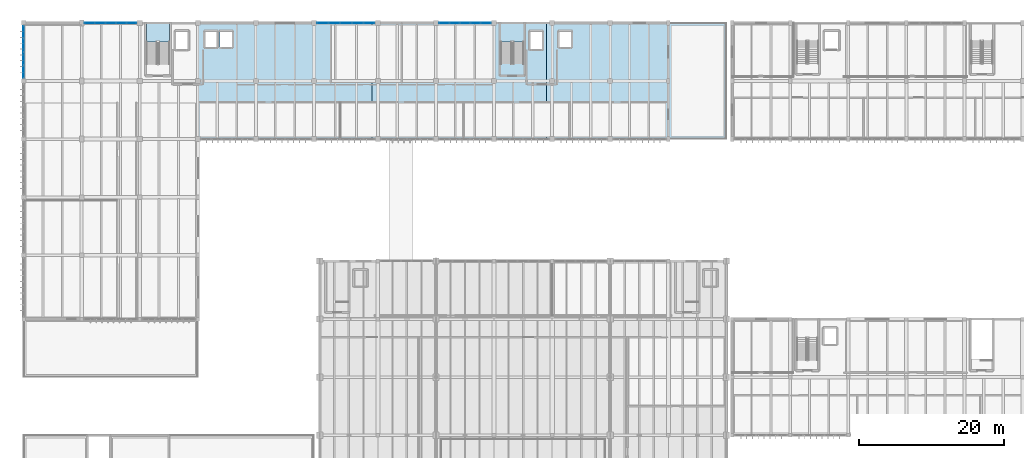
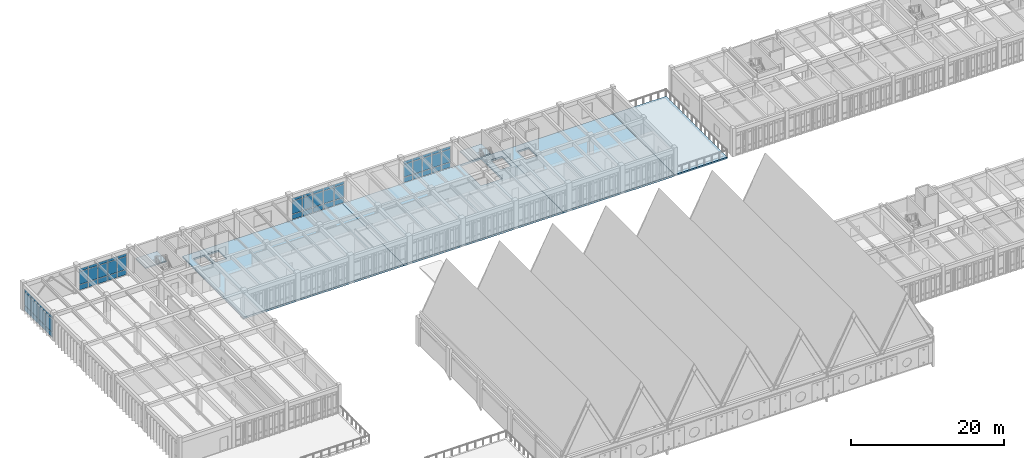
# One storey, part 39 of 72: 57 plates, 6 slabs, 6 elements without a shape of their own.
"""IFC4 building model written with IfcOpenShell, lengths in metres."""

from ifc_helpers import new_model, si_unit, direction, frame, origin, origin_2d, place, context, subcontext, project, spatial, polyline, rectangle, outline, extrude, material, layer, layer_set, type_object, element, aggregate, save


model = new_model("IFC4")

# Units and contexts
model_context = context("Model", 3, precision=1e-05, world=origin(), true_north=direction((0.0, 1.0)))
body_context = subcontext(model_context, "Body", "Model", "MODEL_VIEW")
ifc_project = project(units=[si_unit("LENGTHUNIT", "METRE"), si_unit("AREAUNIT", "SQUARE_METRE"), si_unit("VOLUMEUNIT", "CUBIC_METRE"), si_unit("PLANEANGLEUNIT", "RADIAN"), si_unit("MASSUNIT", "GRAM", prefix="KILO")], contexts=[model_context])

# Site, building, storey
site_placement = place(None, origin())
site = spatial("IfcSite", under=ifc_project, at=site_placement, CompositionType="ELEMENT")
building_placement = place(site_placement, origin())
building = spatial("IfcBuilding", under=site, at=building_placement, Name="Tlaxcora Railside Police Headquarters", CompositionType="ELEMENT")
storey_placement = place(building_placement, frame((0.0, 0.0, 13.5)))
storey = spatial("IfcBuildingStorey", under=building, at=storey_placement, Name="L03", CompositionType="ELEMENT", Elevation=13.5)

# Curtain wall, plates
ifc_material_1 = material(Name="Thermally broken low-E insulated glazing", Category="glass")
curtain_wall_type_1 = type_object("IfcCurtainWallType", Name="Unitised Curtain Wall Assembly CW-23", PredefinedType="NOTDEFINED", material=ifc_material_1)
curtain_wall_1_placement = place(storey_placement, origin())
curtain_wall_1 = element("IfcCurtainWall", 1, at=curtain_wall_1_placement, inside=storey, type_object=curtain_wall_type_1, Name="V5 L03 curtain wall 80", PredefinedType="NOTDEFINED")
ifc_layer_1 = layer(ifc_material_1, 0.0400390625, Name="Thermally broken low-E insulated glazing")
ifc_layer_set_1 = layer_set([ifc_layer_1], Name="Thermally broken low-E insulated glazing")
plate_type_1 = type_object("IfcPlateType", Name="Curtain Wall Infill Panel CW-17", PredefinedType="CURTAIN_PANEL", material=ifc_layer_set_1)
plate_1_placement = place(storey_placement, frame((68.860107421875, 92.800048828125, 0.080078125), z_axis=(0.0, 0.0, 1.0), x_axis=(-1.0, 0.0, 0.0)))
plate_1 = element("IfcPlate", 2, at=plate_1_placement, type_object=plate_type_1, Name="CW panel 1.1", PredefinedType="CURTAIN_PANEL", context=body_context, shape_type="SweptSolid", body=[
    extrude(rectangle(XDim=1.320068359375, YDim=0.0400390625, at=origin_2d()), origin(), (0.0, 0.0, 1.0), 0.780029296875),
])
plate_2_placement = place(storey_placement, frame((68.860107421875, 92.800048828125, 0.93994140625), z_axis=(0.0, 0.0, 1.0), x_axis=(-1.0, 0.0, 0.0)))
plate_2 = element("IfcPlate", 3, at=plate_2_placement, type_object=plate_type_1, Name="CW panel 1.2", PredefinedType="CURTAIN_PANEL", context=body_context, shape_type="SweptSolid", body=[
    extrude(rectangle(XDim=1.320068359375, YDim=0.0400390625, at=origin_2d()), origin(), (0.0, 0.0, 1.0), 2.010009765625),
])
plate_3_placement = place(storey_placement, frame((68.860107421875, 92.800048828125, 3.0302734375), z_axis=(0.0, 0.0, 1.0), x_axis=(-1.0, 0.0, 0.0)))
plate_3 = element("IfcPlate", 4, at=plate_3_placement, type_object=plate_type_1, Name="CW panel 1.3", PredefinedType="CURTAIN_PANEL", context=body_context, shape_type="SweptSolid", body=[
    extrude(rectangle(XDim=1.320068359375, YDim=0.0400390625, at=origin_2d()), origin(), (0.0, 0.0, 1.0), 0.409912109375),
])
plate_4_placement = place(storey_placement, frame((67.43994140625, 92.800048828125, 0.080078125), z_axis=(0.0, 0.0, 1.0), x_axis=(-1.0, 0.0, 0.0)))
plate_4 = element("IfcPlate", 5, at=plate_4_placement, type_object=plate_type_1, Name="CW panel 2.1", PredefinedType="CURTAIN_PANEL", context=body_context, shape_type="SweptSolid", body=[
    extrude(rectangle(XDim=1.360107421875, YDim=0.0400390625, at=origin_2d()), origin(), (0.0, 0.0, 1.0), 0.780029296875),
])
plate_5_placement = place(storey_placement, frame((67.43994140625, 92.800048828125, 0.93994140625), z_axis=(0.0, 0.0, 1.0), x_axis=(-1.0, 0.0, 0.0)))
plate_5 = element("IfcPlate", 6, at=plate_5_placement, type_object=plate_type_1, Name="CW panel 2.2", PredefinedType="CURTAIN_PANEL", context=body_context, shape_type="SweptSolid", body=[
    extrude(rectangle(XDim=1.360107421875, YDim=0.0400390625, at=origin_2d()), origin(), (0.0, 0.0, 1.0), 2.010009765625),
])
plate_6_placement = place(storey_placement, frame((67.43994140625, 92.800048828125, 3.0302734375), z_axis=(0.0, 0.0, 1.0), x_axis=(-1.0, 0.0, 0.0)))
plate_6 = element("IfcPlate", 7, at=plate_6_placement, type_object=plate_type_1, Name="CW panel 2.3", PredefinedType="CURTAIN_PANEL", context=body_context, shape_type="SweptSolid", body=[
    extrude(rectangle(XDim=1.360107421875, YDim=0.0400390625, at=origin_2d()), origin(), (0.0, 0.0, 1.0), 0.409912109375),
])
plate_7_placement = place(storey_placement, frame((66.0, 92.800048828125, 0.080078125), z_axis=(0.0, 0.0, 1.0), x_axis=(-1.0, 0.0, 0.0)))
plate_7 = element("IfcPlate", 8, at=plate_7_placement, type_object=plate_type_1, Name="CW panel 3.1", PredefinedType="CURTAIN_PANEL", context=body_context, shape_type="SweptSolid", body=[
    extrude(rectangle(XDim=1.360107421875, YDim=0.0400390625, at=origin_2d()), origin(), (0.0, 0.0, 1.0), 0.780029296875),
])
plate_8_placement = place(storey_placement, frame((66.0, 92.800048828125, 0.93994140625), z_axis=(0.0, 0.0, 1.0), x_axis=(-1.0, 0.0, 0.0)))
plate_8 = element("IfcPlate", 9, at=plate_8_placement, type_object=plate_type_1, Name="CW panel 3.2", PredefinedType="CURTAIN_PANEL", context=body_context, shape_type="SweptSolid", body=[
    extrude(rectangle(XDim=1.360107421875, YDim=0.0400390625, at=origin_2d()), origin(), (0.0, 0.0, 1.0), 2.010009765625),
])
plate_9_placement = place(storey_placement, frame((66.0, 92.800048828125, 3.0302734375), z_axis=(0.0, 0.0, 1.0), x_axis=(-1.0, 0.0, 0.0)))
plate_9 = element("IfcPlate", 10, at=plate_9_placement, type_object=plate_type_1, Name="CW panel 3.3", PredefinedType="CURTAIN_PANEL", context=body_context, shape_type="SweptSolid", body=[
    extrude(rectangle(XDim=1.360107421875, YDim=0.0400390625, at=origin_2d()), origin(), (0.0, 0.0, 1.0), 0.409912109375),
])
plate_10_placement = place(storey_placement, frame((64.56005859375, 92.800048828125, 0.080078125), z_axis=(0.0, 0.0, 1.0), x_axis=(-1.0, 0.0, 0.0)))
plate_10 = element("IfcPlate", 11, at=plate_10_placement, type_object=plate_type_1, Name="CW panel 4.1", PredefinedType="CURTAIN_PANEL", context=body_context, shape_type="SweptSolid", body=[
    extrude(rectangle(XDim=1.360107421875, YDim=0.0400390625, at=origin_2d()), origin(), (0.0, 0.0, 1.0), 0.780029296875),
])
plate_11_placement = place(storey_placement, frame((64.56005859375, 92.800048828125, 0.93994140625), z_axis=(0.0, 0.0, 1.0), x_axis=(-1.0, 0.0, 0.0)))
plate_11 = element("IfcPlate", 12, at=plate_11_placement, type_object=plate_type_1, Name="CW panel 4.2", PredefinedType="CURTAIN_PANEL", context=body_context, shape_type="SweptSolid", body=[
    extrude(rectangle(XDim=1.360107421875, YDim=0.0400390625, at=origin_2d()), origin(), (0.0, 0.0, 1.0), 2.010009765625),
])
plate_12_placement = place(storey_placement, frame((64.56005859375, 92.800048828125, 3.0302734375), z_axis=(0.0, 0.0, 1.0), x_axis=(-1.0, 0.0, 0.0)))
plate_12 = element("IfcPlate", 13, at=plate_12_placement, type_object=plate_type_1, Name="CW panel 4.3", PredefinedType="CURTAIN_PANEL", context=body_context, shape_type="SweptSolid", body=[
    extrude(rectangle(XDim=1.360107421875, YDim=0.0400390625, at=origin_2d()), origin(), (0.0, 0.0, 1.0), 0.409912109375),
])
plate_13_placement = place(storey_placement, frame((63.139892578125, 92.800048828125, 0.080078125), z_axis=(0.0, 0.0, 1.0), x_axis=(-1.0, 0.0, 0.0)))
plate_13 = element("IfcPlate", 14, at=plate_13_placement, type_object=plate_type_1, Name="CW panel 5.1", PredefinedType="CURTAIN_PANEL", context=body_context, shape_type="SweptSolid", body=[
    extrude(rectangle(XDim=1.320068359375, YDim=0.0400390625, at=origin_2d()), origin(), (0.0, 0.0, 1.0), 0.780029296875),
])
plate_14_placement = place(storey_placement, frame((63.139892578125, 92.800048828125, 0.93994140625), z_axis=(0.0, 0.0, 1.0), x_axis=(-1.0, 0.0, 0.0)))
plate_14 = element("IfcPlate", 15, at=plate_14_placement, type_object=plate_type_1, Name="CW panel 5.2", PredefinedType="CURTAIN_PANEL", context=body_context, shape_type="SweptSolid", body=[
    extrude(rectangle(XDim=1.320068359375, YDim=0.0400390625, at=origin_2d()), origin(), (0.0, 0.0, 1.0), 2.010009765625),
])
plate_15_placement = place(storey_placement, frame((63.139892578125, 92.800048828125, 3.0302734375), z_axis=(0.0, 0.0, 1.0), x_axis=(-1.0, 0.0, 0.0)))
plate_15 = element("IfcPlate", 16, at=plate_15_placement, type_object=plate_type_1, Name="CW panel 5.3", PredefinedType="CURTAIN_PANEL", context=body_context, shape_type="SweptSolid", body=[
    extrude(rectangle(XDim=1.320068359375, YDim=0.0400390625, at=origin_2d()), origin(), (0.0, 0.0, 1.0), 0.409912109375),
])
aggregate(curtain_wall_1, [plate_1, plate_2, plate_3, plate_4, plate_5, plate_6, plate_7, plate_8, plate_9, plate_10, plate_11, plate_12, plate_13, plate_14, plate_15])

curtain_wall_type_2 = type_object("IfcCurtainWallType", Name="Unitised Curtain Wall Assembly CW-15", PredefinedType="NOTDEFINED", material=ifc_material_1)
curtain_wall_2_placement = place(storey_placement, origin())
curtain_wall_2 = element("IfcCurtainWall", 17, at=curtain_wall_2_placement, inside=storey, type_object=curtain_wall_type_2, Name="V5 L03 curtain wall 82", PredefinedType="NOTDEFINED")
ifc_layer_2 = layer(ifc_material_1, 0.031982421875, Name="Thermally broken low-E insulated glazing")
ifc_layer_set_2 = layer_set([ifc_layer_2], Name="Thermally broken low-E insulated glazing")
plate_type_2 = type_object("IfcPlateType", Name="Curtain Wall Infill Panel CW-41", PredefinedType="CURTAIN_PANEL", material=ifc_layer_set_2)
plate_16_placement = place(storey_placement, frame((20.05615234375, 92.800048828125, 0.074951171875), z_axis=(0.0, 0.0, 1.0), x_axis=(-1.0, 0.0, 0.0)))
plate_16 = element("IfcPlate", 18, at=plate_16_placement, type_object=plate_type_2, Name="CW panel 1.1", PredefinedType="CURTAIN_PANEL", context=body_context, shape_type="SweptSolid", body=[
    extrude(rectangle(XDim=1.33740234375, YDim=0.031982421875, at=origin_2d()), origin(), (0.0, 0.0, 1.0), 0.78759765625),
])
plate_17_placement = place(storey_placement, frame((20.05615234375, 92.800048828125, 0.9375), z_axis=(0.0, 0.0, 1.0), x_axis=(-1.0, 0.0, 0.0)))
plate_17 = element("IfcPlate", 19, at=plate_17_placement, type_object=plate_type_2, Name="CW panel 1.2", PredefinedType="CURTAIN_PANEL", context=body_context, shape_type="SweptSolid", body=[
    extrude(rectangle(XDim=1.33740234375, YDim=0.031982421875, at=origin_2d()), origin(), (0.0, 0.0, 1.0), 2.014892578125),
])
plate_18_placement = place(storey_placement, frame((20.05615234375, 92.800048828125, 3.027587890625), z_axis=(0.0, 0.0, 1.0), x_axis=(-1.0, 0.0, 0.0)))
plate_18 = element("IfcPlate", 20, at=plate_18_placement, type_object=plate_type_2, Name="CW panel 1.3", PredefinedType="CURTAIN_PANEL", context=body_context, shape_type="SweptSolid", body=[
    extrude(rectangle(XDim=1.33740234375, YDim=0.031982421875, at=origin_2d()), origin(), (0.0, 0.0, 1.0), 0.41748046875),
])
plate_19_placement = place(storey_placement, frame((18.625, 92.800048828125, 0.074951171875), z_axis=(0.0, 0.0, 1.0), x_axis=(-1.0, 0.0, 0.0)))
plate_19 = element("IfcPlate", 21, at=plate_19_placement, type_object=plate_type_2, Name="CW panel 2.1", PredefinedType="CURTAIN_PANEL", context=body_context, shape_type="SweptSolid", body=[
    extrude(rectangle(XDim=1.375, YDim=0.031982421875, at=origin_2d()), origin(), (0.0, 0.0, 1.0), 0.78759765625),
])
plate_20_placement = place(storey_placement, frame((18.625, 92.800048828125, 0.9375), z_axis=(0.0, 0.0, 1.0), x_axis=(-1.0, 0.0, 0.0)))
plate_20 = element("IfcPlate", 22, at=plate_20_placement, type_object=plate_type_2, Name="CW panel 2.2", PredefinedType="CURTAIN_PANEL", context=body_context, shape_type="SweptSolid", body=[
    extrude(rectangle(XDim=1.375, YDim=0.031982421875, at=origin_2d()), origin(), (0.0, 0.0, 1.0), 2.014892578125),
])
plate_21_placement = place(storey_placement, frame((18.625, 92.800048828125, 3.027587890625), z_axis=(0.0, 0.0, 1.0), x_axis=(-1.0, 0.0, 0.0)))
plate_21 = element("IfcPlate", 23, at=plate_21_placement, type_object=plate_type_2, Name="CW panel 2.3", PredefinedType="CURTAIN_PANEL", context=body_context, shape_type="SweptSolid", body=[
    extrude(rectangle(XDim=1.375, YDim=0.031982421875, at=origin_2d()), origin(), (0.0, 0.0, 1.0), 0.41748046875),
])
plate_22_placement = place(storey_placement, frame((17.175048828125, 92.800048828125, 0.074951171875), z_axis=(0.0, 0.0, 1.0), x_axis=(-1.0, 0.0, 0.0)))
plate_22 = element("IfcPlate", 24, at=plate_22_placement, type_object=plate_type_2, Name="CW panel 3.1", PredefinedType="CURTAIN_PANEL", context=body_context, shape_type="SweptSolid", body=[
    extrude(rectangle(XDim=1.375, YDim=0.031982421875, at=origin_2d()), origin(), (0.0, 0.0, 1.0), 0.78759765625),
])
plate_23_placement = place(storey_placement, frame((17.175048828125, 92.800048828125, 0.9375), z_axis=(0.0, 0.0, 1.0), x_axis=(-1.0, 0.0, 0.0)))
plate_23 = element("IfcPlate", 25, at=plate_23_placement, type_object=plate_type_2, Name="CW panel 3.2", PredefinedType="CURTAIN_PANEL", context=body_context, shape_type="SweptSolid", body=[
    extrude(rectangle(XDim=1.375, YDim=0.031982421875, at=origin_2d()), origin(), (0.0, 0.0, 1.0), 2.014892578125),
])
plate_24_placement = place(storey_placement, frame((17.175048828125, 92.800048828125, 3.027587890625), z_axis=(0.0, 0.0, 1.0), x_axis=(-1.0, 0.0, 0.0)))
plate_24 = element("IfcPlate", 26, at=plate_24_placement, type_object=plate_type_2, Name="CW panel 3.3", PredefinedType="CURTAIN_PANEL", context=body_context, shape_type="SweptSolid", body=[
    extrude(rectangle(XDim=1.375, YDim=0.031982421875, at=origin_2d()), origin(), (0.0, 0.0, 1.0), 0.41748046875),
])
plate_25_placement = place(storey_placement, frame((15.72509765625, 92.800048828125, 0.074951171875), z_axis=(0.0, 0.0, 1.0), x_axis=(-1.0, 0.0, 0.0)))
plate_25 = element("IfcPlate", 27, at=plate_25_placement, type_object=plate_type_2, Name="CW panel 4.1", PredefinedType="CURTAIN_PANEL", context=body_context, shape_type="SweptSolid", body=[
    extrude(rectangle(XDim=1.375, YDim=0.031982421875, at=origin_2d()), origin(), (0.0, 0.0, 1.0), 0.78759765625),
])
plate_26_placement = place(storey_placement, frame((15.72509765625, 92.800048828125, 0.9375), z_axis=(0.0, 0.0, 1.0), x_axis=(-1.0, 0.0, 0.0)))
plate_26 = element("IfcPlate", 28, at=plate_26_placement, type_object=plate_type_2, Name="CW panel 4.2", PredefinedType="CURTAIN_PANEL", context=body_context, shape_type="SweptSolid", body=[
    extrude(rectangle(XDim=1.375, YDim=0.031982421875, at=origin_2d()), origin(), (0.0, 0.0, 1.0), 2.014892578125),
])
plate_27_placement = place(storey_placement, frame((15.72509765625, 92.800048828125, 3.027587890625), z_axis=(0.0, 0.0, 1.0), x_axis=(-1.0, 0.0, 0.0)))
plate_27 = element("IfcPlate", 29, at=plate_27_placement, type_object=plate_type_2, Name="CW panel 4.3", PredefinedType="CURTAIN_PANEL", context=body_context, shape_type="SweptSolid", body=[
    extrude(rectangle(XDim=1.375, YDim=0.031982421875, at=origin_2d()), origin(), (0.0, 0.0, 1.0), 0.41748046875),
])
plate_28_placement = place(storey_placement, frame((14.293701171875, 92.800048828125, 0.074951171875), z_axis=(0.0, 0.0, 1.0), x_axis=(-1.0, 0.0, 0.0)))
plate_28 = element("IfcPlate", 30, at=plate_28_placement, type_object=plate_type_2, Name="CW panel 5.1", PredefinedType="CURTAIN_PANEL", context=body_context, shape_type="SweptSolid", body=[
    extrude(rectangle(XDim=1.33740234375, YDim=0.031982421875, at=origin_2d()), origin(), (0.0, 0.0, 1.0), 0.78759765625),
])
plate_29_placement = place(storey_placement, frame((14.293701171875, 92.800048828125, 0.9375), z_axis=(0.0, 0.0, 1.0), x_axis=(-1.0, 0.0, 0.0)))
plate_29 = element("IfcPlate", 31, at=plate_29_placement, type_object=plate_type_2, Name="CW panel 5.2", PredefinedType="CURTAIN_PANEL", context=body_context, shape_type="SweptSolid", body=[
    extrude(rectangle(XDim=1.33740234375, YDim=0.031982421875, at=origin_2d()), origin(), (0.0, 0.0, 1.0), 2.014892578125),
])
plate_30_placement = place(storey_placement, frame((14.293701171875, 92.800048828125, 3.027587890625), z_axis=(0.0, 0.0, 1.0), x_axis=(-1.0, 0.0, 0.0)))
plate_30 = element("IfcPlate", 32, at=plate_30_placement, type_object=plate_type_2, Name="CW panel 5.3", PredefinedType="CURTAIN_PANEL", context=body_context, shape_type="SweptSolid", body=[
    extrude(rectangle(XDim=1.33740234375, YDim=0.031982421875, at=origin_2d()), origin(), (0.0, 0.0, 1.0), 0.41748046875),
])
aggregate(curtain_wall_2, [plate_16, plate_17, plate_18, plate_19, plate_20, plate_21, plate_22, plate_23, plate_24, plate_25, plate_26, plate_27, plate_28, plate_29, plate_30])

curtain_wall_type_3 = type_object("IfcCurtainWallType", Name="Unitised Curtain Wall Assembly CW-83", PredefinedType="NOTDEFINED", material=ifc_material_1)
curtain_wall_3_placement = place(storey_placement, origin())
curtain_wall_3 = element("IfcCurtainWall", 33, at=curtain_wall_3_placement, inside=storey, type_object=curtain_wall_type_3, Name="V5 L03 curtain wall 83", PredefinedType="NOTDEFINED")
ifc_layer_3 = layer(ifc_material_1, 0.035888671875, Name="Thermally broken low-E insulated glazing")
ifc_layer_set_3 = layer_set([ifc_layer_3], Name="Thermally broken low-E insulated glazing")
plate_type_3 = type_object("IfcPlateType", Name="Curtain Wall Infill Panel CW-72", PredefinedType="CURTAIN_PANEL", material=ifc_layer_set_3)
plate_31_placement = place(storey_placement, frame((5.199951171875, 91.517578125, 0.080078125), z_axis=(0.0, 0.0, 1.0), x_axis=(0.0, -1.0, 0.0)))
plate_31 = element("IfcPlate", 34, at=plate_31_placement, type_object=plate_type_3, Name="CW panel 1.1", PredefinedType="CURTAIN_PANEL", context=body_context, shape_type="SweptSolid", body=[
    extrude(rectangle(XDim=1.705078125, YDim=0.035888671875, at=origin_2d()), origin(), (0.0, 0.0, 1.0), 0.780029296875),
])
plate_32_placement = place(storey_placement, frame((5.199951171875, 91.517578125, 0.93994140625), z_axis=(0.0, 0.0, 1.0), x_axis=(0.0, -1.0, 0.0)))
plate_32 = element("IfcPlate", 35, at=plate_32_placement, type_object=plate_type_3, Name="CW panel 1.2", PredefinedType="CURTAIN_PANEL", context=body_context, shape_type="SweptSolid", body=[
    extrude(rectangle(XDim=1.705078125, YDim=0.035888671875, at=origin_2d()), origin(), (0.0, 0.0, 1.0), 2.010009765625),
])
plate_33_placement = place(storey_placement, frame((5.199951171875, 91.517578125, 3.0302734375), z_axis=(0.0, 0.0, 1.0), x_axis=(0.0, -1.0, 0.0)))
plate_33 = element("IfcPlate", 36, at=plate_33_placement, type_object=plate_type_3, Name="CW panel 1.3", PredefinedType="CURTAIN_PANEL", context=body_context, shape_type="SweptSolid", body=[
    extrude(rectangle(XDim=1.705078125, YDim=0.035888671875, at=origin_2d()), origin(), (0.0, 0.0, 1.0), 0.409912109375),
])
plate_34_placement = place(storey_placement, frame((5.199951171875, 89.71240234375, 0.080078125), z_axis=(0.0, 0.0, 1.0), x_axis=(0.0, -1.0, 0.0)))
plate_34 = element("IfcPlate", 37, at=plate_34_placement, type_object=plate_type_3, Name="CW panel 2.1", PredefinedType="CURTAIN_PANEL", context=body_context, shape_type="SweptSolid", body=[
    extrude(rectangle(XDim=1.7451171875, YDim=0.035888671875, at=origin_2d()), origin(), (0.0, 0.0, 1.0), 0.780029296875),
])
plate_35_placement = place(storey_placement, frame((5.199951171875, 89.71240234375, 0.93994140625), z_axis=(0.0, 0.0, 1.0), x_axis=(0.0, -1.0, 0.0)))
plate_35 = element("IfcPlate", 38, at=plate_35_placement, type_object=plate_type_3, Name="CW panel 2.2", PredefinedType="CURTAIN_PANEL", context=body_context, shape_type="SweptSolid", body=[
    extrude(rectangle(XDim=1.7451171875, YDim=0.035888671875, at=origin_2d()), origin(), (0.0, 0.0, 1.0), 2.010009765625),
])
plate_36_placement = place(storey_placement, frame((5.199951171875, 89.71240234375, 3.0302734375), z_axis=(0.0, 0.0, 1.0), x_axis=(0.0, -1.0, 0.0)))
plate_36 = element("IfcPlate", 39, at=plate_36_placement, type_object=plate_type_3, Name="CW panel 2.3", PredefinedType="CURTAIN_PANEL", context=body_context, shape_type="SweptSolid", body=[
    extrude(rectangle(XDim=1.7451171875, YDim=0.035888671875, at=origin_2d()), origin(), (0.0, 0.0, 1.0), 0.409912109375),
])
plate_37_placement = place(storey_placement, frame((5.199951171875, 87.887451171875, 0.080078125), z_axis=(0.0, 0.0, 1.0), x_axis=(0.0, -1.0, 0.0)))
plate_37 = element("IfcPlate", 40, at=plate_37_placement, type_object=plate_type_3, Name="CW panel 3.1", PredefinedType="CURTAIN_PANEL", context=body_context, shape_type="SweptSolid", body=[
    extrude(rectangle(XDim=1.7451171875, YDim=0.035888671875, at=origin_2d()), origin(), (0.0, 0.0, 1.0), 0.780029296875),
])
plate_38_placement = place(storey_placement, frame((5.199951171875, 87.887451171875, 0.93994140625), z_axis=(0.0, 0.0, 1.0), x_axis=(0.0, -1.0, 0.0)))
plate_38 = element("IfcPlate", 41, at=plate_38_placement, type_object=plate_type_3, Name="CW panel 3.2", PredefinedType="CURTAIN_PANEL", context=body_context, shape_type="SweptSolid", body=[
    extrude(rectangle(XDim=1.7451171875, YDim=0.035888671875, at=origin_2d()), origin(), (0.0, 0.0, 1.0), 2.010009765625),
])
plate_39_placement = place(storey_placement, frame((5.199951171875, 87.887451171875, 3.0302734375), z_axis=(0.0, 0.0, 1.0), x_axis=(0.0, -1.0, 0.0)))
plate_39 = element("IfcPlate", 42, at=plate_39_placement, type_object=plate_type_3, Name="CW panel 3.3", PredefinedType="CURTAIN_PANEL", context=body_context, shape_type="SweptSolid", body=[
    extrude(rectangle(XDim=1.7451171875, YDim=0.035888671875, at=origin_2d()), origin(), (0.0, 0.0, 1.0), 0.409912109375),
])
plate_40_placement = place(storey_placement, frame((5.199951171875, 86.08251953125, 0.080078125), z_axis=(0.0, 0.0, 1.0), x_axis=(0.0, -1.0, 0.0)))
plate_40 = element("IfcPlate", 43, at=plate_40_placement, type_object=plate_type_3, Name="CW panel 4.1", PredefinedType="CURTAIN_PANEL", context=body_context, shape_type="SweptSolid", body=[
    extrude(rectangle(XDim=1.705078125, YDim=0.035888671875, at=origin_2d()), origin(), (0.0, 0.0, 1.0), 0.780029296875),
])
plate_41_placement = place(storey_placement, frame((5.199951171875, 86.08251953125, 0.93994140625), z_axis=(0.0, 0.0, 1.0), x_axis=(0.0, -1.0, 0.0)))
plate_41 = element("IfcPlate", 44, at=plate_41_placement, type_object=plate_type_3, Name="CW panel 4.2", PredefinedType="CURTAIN_PANEL", context=body_context, shape_type="SweptSolid", body=[
    extrude(rectangle(XDim=1.705078125, YDim=0.035888671875, at=origin_2d()), origin(), (0.0, 0.0, 1.0), 2.010009765625),
])
plate_42_placement = place(storey_placement, frame((5.199951171875, 86.08251953125, 3.0302734375), z_axis=(0.0, 0.0, 1.0), x_axis=(0.0, -1.0, 0.0)))
plate_42 = element("IfcPlate", 45, at=plate_42_placement, type_object=plate_type_3, Name="CW panel 4.3", PredefinedType="CURTAIN_PANEL", context=body_context, shape_type="SweptSolid", body=[
    extrude(rectangle(XDim=1.705078125, YDim=0.035888671875, at=origin_2d()), origin(), (0.0, 0.0, 1.0), 0.409912109375),
])
aggregate(curtain_wall_3, [plate_31, plate_32, plate_33, plate_34, plate_35, plate_36, plate_37, plate_38, plate_39, plate_40, plate_41, plate_42])

curtain_wall_type_4 = type_object("IfcCurtainWallType", Name="Unitised Curtain Wall Assembly CW-38", PredefinedType="NOTDEFINED", material=ifc_material_1)
curtain_wall_4_placement = place(storey_placement, origin())
curtain_wall_4 = element("IfcCurtainWall", 46, at=curtain_wall_4_placement, inside=storey, type_object=curtain_wall_type_4, Name="V5 L03 curtain wall 81", PredefinedType="NOTDEFINED")
ifc_layer_4 = layer(ifc_material_1, 0.028076171875, Name="Thermally broken low-E insulated glazing")
ifc_layer_set_4 = layer_set([ifc_layer_4], Name="Thermally broken low-E insulated glazing")
plate_type_4 = type_object("IfcPlateType", Name="Curtain Wall Infill Panel CW-92", PredefinedType="CURTAIN_PANEL", material=ifc_layer_set_4)
plate_43_placement = place(storey_placement, frame((52.78125, 92.800048828125, 0.074951171875), z_axis=(0.0, 0.0, 1.0), x_axis=(-1.0, 0.0, 0.0)))
plate_43 = element("IfcPlate", 47, at=plate_43_placement, type_object=plate_type_4, Name="CW panel 1.1", PredefinedType="CURTAIN_PANEL", context=body_context, shape_type="SweptSolid", body=[
    extrude(rectangle(XDim=1.487548828125, YDim=0.028076171875, at=origin_2d()), origin(), (0.0, 0.0, 1.0), 0.78759765625),
])
plate_44_placement = place(storey_placement, frame((52.78125, 92.800048828125, 0.9375), z_axis=(0.0, 0.0, 1.0), x_axis=(-1.0, 0.0, 0.0)))
plate_44 = element("IfcPlate", 48, at=plate_44_placement, type_object=plate_type_4, Name="CW panel 1.2", PredefinedType="CURTAIN_PANEL", context=body_context, shape_type="SweptSolid", body=[
    extrude(rectangle(XDim=1.487548828125, YDim=0.028076171875, at=origin_2d()), origin(), (0.0, 0.0, 1.0), 2.014892578125),
])
plate_45_placement = place(storey_placement, frame((52.78125, 92.800048828125, 3.027587890625), z_axis=(0.0, 0.0, 1.0), x_axis=(-1.0, 0.0, 0.0)))
plate_45 = element("IfcPlate", 49, at=plate_45_placement, type_object=plate_type_4, Name="CW panel 1.3", PredefinedType="CURTAIN_PANEL", context=body_context, shape_type="SweptSolid", body=[
    extrude(rectangle(XDim=1.487548828125, YDim=0.028076171875, at=origin_2d()), origin(), (0.0, 0.0, 1.0), 0.41748046875),
])
plate_46_placement = place(storey_placement, frame((51.199951171875, 92.800048828125, 0.074951171875), z_axis=(0.0, 0.0, 1.0), x_axis=(-1.0, 0.0, 0.0)))
plate_46 = element("IfcPlate", 50, at=plate_46_placement, type_object=plate_type_4, Name="CW panel 2.1", PredefinedType="CURTAIN_PANEL", context=body_context, shape_type="SweptSolid", body=[
    extrude(rectangle(XDim=1.52490234375, YDim=0.028076171875, at=origin_2d()), origin(), (0.0, 0.0, 1.0), 0.78759765625),
])
plate_47_placement = place(storey_placement, frame((51.199951171875, 92.800048828125, 0.9375), z_axis=(0.0, 0.0, 1.0), x_axis=(-1.0, 0.0, 0.0)))
plate_47 = element("IfcPlate", 51, at=plate_47_placement, type_object=plate_type_4, Name="CW panel 2.2", PredefinedType="CURTAIN_PANEL", context=body_context, shape_type="SweptSolid", body=[
    extrude(rectangle(XDim=1.52490234375, YDim=0.028076171875, at=origin_2d()), origin(), (0.0, 0.0, 1.0), 2.014892578125),
])
plate_48_placement = place(storey_placement, frame((51.199951171875, 92.800048828125, 3.027587890625), z_axis=(0.0, 0.0, 1.0), x_axis=(-1.0, 0.0, 0.0)))
plate_48 = element("IfcPlate", 52, at=plate_48_placement, type_object=plate_type_4, Name="CW panel 2.3", PredefinedType="CURTAIN_PANEL", context=body_context, shape_type="SweptSolid", body=[
    extrude(rectangle(XDim=1.52490234375, YDim=0.028076171875, at=origin_2d()), origin(), (0.0, 0.0, 1.0), 0.41748046875),
])
plate_49_placement = place(storey_placement, frame((49.60009765625, 92.800048828125, 0.074951171875), z_axis=(0.0, 0.0, 1.0), x_axis=(-1.0, 0.0, 0.0)))
plate_49 = element("IfcPlate", 53, at=plate_49_placement, type_object=plate_type_4, Name="CW panel 3.1", PredefinedType="CURTAIN_PANEL", context=body_context, shape_type="SweptSolid", body=[
    extrude(rectangle(XDim=1.52490234375, YDim=0.028076171875, at=origin_2d()), origin(), (0.0, 0.0, 1.0), 0.78759765625),
])
plate_50_placement = place(storey_placement, frame((49.60009765625, 92.800048828125, 0.9375), z_axis=(0.0, 0.0, 1.0), x_axis=(-1.0, 0.0, 0.0)))
plate_50 = element("IfcPlate", 54, at=plate_50_placement, type_object=plate_type_4, Name="CW panel 3.2", PredefinedType="CURTAIN_PANEL", context=body_context, shape_type="SweptSolid", body=[
    extrude(rectangle(XDim=1.52490234375, YDim=0.028076171875, at=origin_2d()), origin(), (0.0, 0.0, 1.0), 2.014892578125),
])
plate_51_placement = place(storey_placement, frame((49.60009765625, 92.800048828125, 3.027587890625), z_axis=(0.0, 0.0, 1.0), x_axis=(-1.0, 0.0, 0.0)))
plate_51 = element("IfcPlate", 55, at=plate_51_placement, type_object=plate_type_4, Name="CW panel 3.3", PredefinedType="CURTAIN_PANEL", context=body_context, shape_type="SweptSolid", body=[
    extrude(rectangle(XDim=1.52490234375, YDim=0.028076171875, at=origin_2d()), origin(), (0.0, 0.0, 1.0), 0.41748046875),
])
plate_52_placement = place(storey_placement, frame((48.0, 92.800048828125, 0.074951171875), z_axis=(0.0, 0.0, 1.0), x_axis=(-1.0, 0.0, 0.0)))
plate_52 = element("IfcPlate", 56, at=plate_52_placement, type_object=plate_type_4, Name="CW panel 4.1", PredefinedType="CURTAIN_PANEL", context=body_context, shape_type="SweptSolid", body=[
    extrude(rectangle(XDim=1.52490234375, YDim=0.028076171875, at=origin_2d()), origin(), (0.0, 0.0, 1.0), 0.78759765625),
])
plate_53_placement = place(storey_placement, frame((48.0, 92.800048828125, 0.9375), z_axis=(0.0, 0.0, 1.0), x_axis=(-1.0, 0.0, 0.0)))
plate_53 = element("IfcPlate", 57, at=plate_53_placement, type_object=plate_type_4, Name="CW panel 4.2", PredefinedType="CURTAIN_PANEL", context=body_context, shape_type="SweptSolid", body=[
    extrude(rectangle(XDim=1.52490234375, YDim=0.028076171875, at=origin_2d()), origin(), (0.0, 0.0, 1.0), 2.014892578125),
])
plate_54_placement = place(storey_placement, frame((48.0, 92.800048828125, 3.027587890625), z_axis=(0.0, 0.0, 1.0), x_axis=(-1.0, 0.0, 0.0)))
plate_54 = element("IfcPlate", 58, at=plate_54_placement, type_object=plate_type_4, Name="CW panel 4.3", PredefinedType="CURTAIN_PANEL", context=body_context, shape_type="SweptSolid", body=[
    extrude(rectangle(XDim=1.52490234375, YDim=0.028076171875, at=origin_2d()), origin(), (0.0, 0.0, 1.0), 0.41748046875),
])
plate_55_placement = place(storey_placement, frame((46.418701171875, 92.800048828125, 0.074951171875), z_axis=(0.0, 0.0, 1.0), x_axis=(-1.0, 0.0, 0.0)))
plate_55 = element("IfcPlate", 59, at=plate_55_placement, type_object=plate_type_4, Name="CW panel 5.1", PredefinedType="CURTAIN_PANEL", context=body_context, shape_type="SweptSolid", body=[
    extrude(rectangle(XDim=1.487548828125, YDim=0.028076171875, at=origin_2d()), origin(), (0.0, 0.0, 1.0), 0.78759765625),
])
plate_56_placement = place(storey_placement, frame((46.418701171875, 92.800048828125, 0.9375), z_axis=(0.0, 0.0, 1.0), x_axis=(-1.0, 0.0, 0.0)))
plate_56 = element("IfcPlate", 60, at=plate_56_placement, type_object=plate_type_4, Name="CW panel 5.2", PredefinedType="CURTAIN_PANEL", context=body_context, shape_type="SweptSolid", body=[
    extrude(rectangle(XDim=1.487548828125, YDim=0.028076171875, at=origin_2d()), origin(), (0.0, 0.0, 1.0), 2.014892578125),
])
plate_57_placement = place(storey_placement, frame((46.418701171875, 92.800048828125, 3.027587890625), z_axis=(0.0, 0.0, 1.0), x_axis=(-1.0, 0.0, 0.0)))
plate_57 = element("IfcPlate", 61, at=plate_57_placement, type_object=plate_type_4, Name="CW panel 5.3", PredefinedType="CURTAIN_PANEL", context=body_context, shape_type="SweptSolid", body=[
    extrude(rectangle(XDim=1.487548828125, YDim=0.028076171875, at=origin_2d()), origin(), (0.0, 0.0, 1.0), 0.41748046875),
])
aggregate(curtain_wall_4, [plate_43, plate_44, plate_45, plate_46, plate_47, plate_48, plate_49, plate_50, plate_51, plate_52, plate_53, plate_54, plate_55, plate_56, plate_57])

# Stair, slab
ifc_material_2 = material(Name="Concrete C40/50", Category="concrete")
stair_type = type_object("IfcStairType", Name="Half-Turn Dog-Leg Stair ST-28", PredefinedType="HALF_TURN_STAIR", material=ifc_material_2)
stair_1_placement = place(storey_placement, origin())
stair_1 = element("IfcStair", 62, at=stair_1_placement, inside=storey, type_object=stair_type, Name="L03 ST1", PredefinedType="HALF_TURN_STAIR")
ifc_material_3 = material(Name="Concrete C35/45", Category="concrete")
ifc_layer_5 = layer(ifc_material_3, 0.199951171875, Name="Concrete C35/45")
ifc_layer_set_5 = layer_set([ifc_layer_5], Name="Concrete C35/45")
slab_type_1 = type_object("IfcSlabType", Name="Stair Landing Slab SL-23", PredefinedType="LANDING", material=ifc_layer_set_5)
slab_1_placement = place(storey_placement, frame((0.0, 0.0, 2.050048828125)))
slab_1 = element("IfcSlab", 63, at=slab_1_placement, type_object=slab_type_1, Name="ST1 landing 1", PredefinedType="LANDING", context=body_context, shape_type="SweptSolid", body=[
    extrude(outline(polyline([(25.31005859375, 90.18994140625), (25.31005859375, 92.68994140625), (22.110107421875, 92.68994140625), (22.110107421875, 90.18994140625), (25.31005859375, 90.18994140625)])), origin(), (0.0, 0.0, 1.0), 0.199951171875),
])
aggregate(stair_1, [slab_1])

stair_2_placement = place(storey_placement, origin())
stair_2 = element("IfcStair", 64, at=stair_2_placement, inside=storey, type_object=stair_type, Name="L03 ST2", PredefinedType="HALF_TURN_STAIR")
slab_2_placement = place(storey_placement, frame((0.0, 0.0, 2.050048828125)))
slab_2 = element("IfcSlab", 65, at=slab_2_placement, type_object=slab_type_1, Name="ST2 landing 1", PredefinedType="LANDING", context=body_context, shape_type="SweptSolid", body=[
    extrude(outline(polyline([(74.110107421875, 90.18994140625), (74.110107421875, 92.68994140625), (70.909912109375, 92.68994140625), (70.909912109375, 90.18994140625), (74.110107421875, 90.18994140625)])), origin(), (0.0, 0.0, 1.0), 0.199951171875),
])
aggregate(stair_2, [slab_2])

# Slabs
ifc_layer_6 = layer(ifc_material_3, 0.280029296875, Name="Concrete C35/45")
ifc_layer_set_6 = layer_set([ifc_layer_6], Name="Concrete C35/45")
slab_type_2 = type_object("IfcSlabType", Name="Suspended Floor Slab SL-16", PredefinedType="FLOOR", material=ifc_layer_set_6)
slab_3_placement = place(storey_placement, frame((0.0, 0.0, -0.280029296875)))
element("IfcSlab", 66, at=slab_3_placement, inside=storey, type_object=slab_type_2, Name="V5 L03 floor slab zone 2", PredefinedType="FLOOR", context=body_context, shape_type="SweptSolid", body=[
    extrude(outline(polyline([(53.199951171875, 92.800048828125), (29.199951171875, 92.800048828125), (29.199951171875, 76.800048828125), (53.199951171875, 76.800048828125), (53.199951171875, 92.800048828125)]), holes=[polyline([(31.85009765625, 89.449951171875), (30.14990234375, 89.449951171875), (30.14990234375, 91.64990234375), (31.85009765625, 91.64990234375), (31.85009765625, 89.449951171875)]), polyline([(32.25, 89.449951171875), (32.25, 91.64990234375), (33.949951171875, 91.64990234375), (33.949951171875, 89.449951171875), (32.25, 89.449951171875)])]), origin(), (0.0, 0.0, 1.0), 0.280029296875),
])
slab_4_placement = place(storey_placement, frame((0.0, 0.0, -0.280029296875)))
element("IfcSlab", 67, at=slab_4_placement, inside=storey, type_object=slab_type_2, Name="V5 L03 floor slab zone 3", PredefinedType="FLOOR", context=body_context, shape_type="SweptSolid", body=[
    extrude(outline(polyline([(77.199951171875, 92.800048828125), (53.199951171875, 92.800048828125), (53.199951171875, 76.800048828125), (77.199951171875, 76.800048828125), (77.199951171875, 92.800048828125)]), holes=[polyline([(70.909912109375, 92.68994140625), (74.110107421875, 92.68994140625), (74.110107421875, 87.25), (70.909912109375, 87.25), (70.909912109375, 92.68994140625)]), polyline([(76.64990234375, 91.64990234375), (76.64990234375, 89.14990234375), (74.949951171875, 89.14990234375), (74.949951171875, 91.64990234375), (76.64990234375, 91.64990234375)])]), origin(), (0.0, 0.0, 1.0), 0.280029296875),
])
slab_5_placement = place(storey_placement, frame((0.0, 0.0, -0.280029296875)))
element("IfcSlab", 68, at=slab_5_placement, inside=storey, type_object=slab_type_2, Name="V5 L03 floor slab zone 4", PredefinedType="FLOOR", context=body_context, shape_type="SweptSolid", body=[
    extrude(outline(polyline([(94.0, 92.800048828125), (77.199951171875, 92.800048828125), (77.199951171875, 76.800048828125), (94.0, 76.800048828125), (94.0, 92.800048828125)]), holes=[polyline([(80.64990234375, 89.449951171875), (78.949951171875, 89.449951171875), (78.949951171875, 91.64990234375), (80.64990234375, 91.64990234375), (80.64990234375, 89.449951171875)])]), origin(), (0.0, 0.0, 1.0), 0.280029296875),
])
ifc_layer_7 = layer(ifc_material_2, 0.2451171875, Name="Concrete C40/50")
ifc_layer_set_7 = layer_set([ifc_layer_7], Name="Concrete C40/50")
slab_type_3 = type_object("IfcSlabType", Name="Suspended Floor Slab SL-67", PredefinedType="FLOOR", material=ifc_layer_set_7)
slab_6_placement = place(storey_placement, frame((0.0, 0.0, -0.2451171875)))
element("IfcSlab", 69, at=slab_6_placement, inside=storey, type_object=slab_type_3, Name="V5 L03 planted terrace slab", PredefinedType="FLOOR", context=body_context, shape_type="SweptSolid", body=[
    extrude(outline(polyline([(102.0, 76.800048828125), (102.0, 92.800048828125), (94.0, 92.800048828125), (94.0, 76.800048828125), (102.0, 76.800048828125)])), origin(), (0.0, 0.0, 1.0), 0.2451171875),
])

save(model, "model.ifc")
